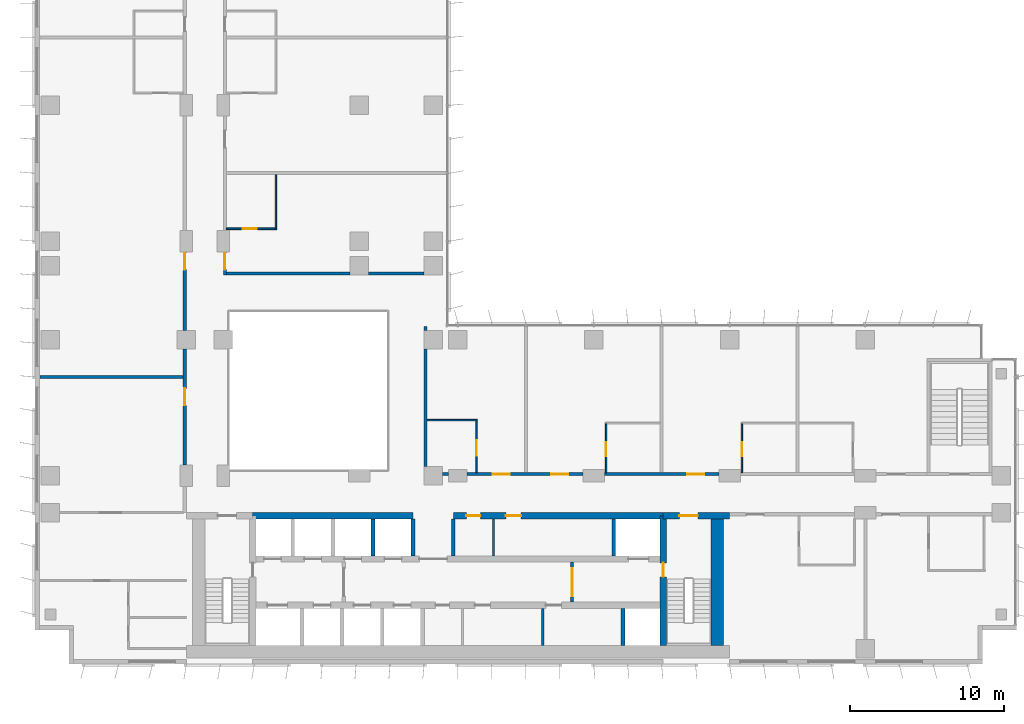
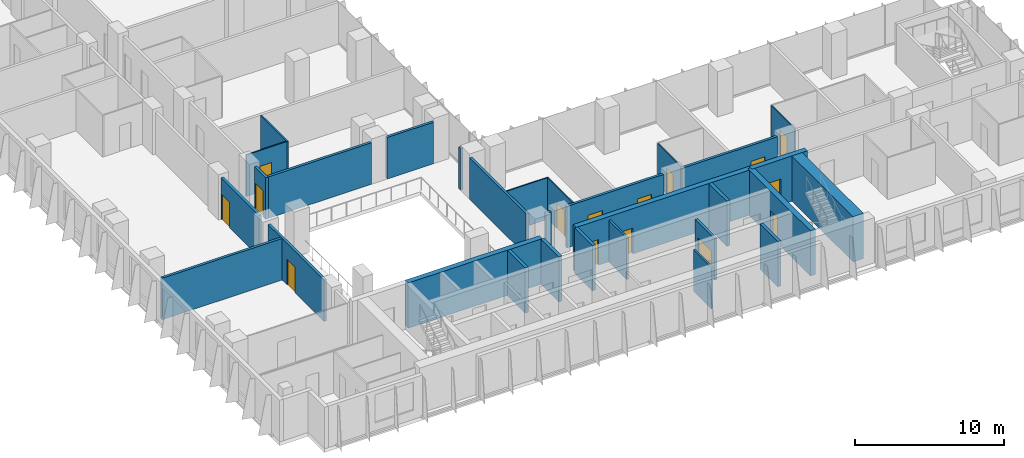
# One storey, part 13 of 22: 30 walls, 15 doors, 15 openings.
"""IFC4 building model written with IfcOpenShell, lengths in metres."""

from ifc_helpers import new_model, si_unit, direction, frame, frame_2d, origin, place, context, subcontext, project, spatial, rectangle, extrude, material, layer, layer_set, type_object, element, fill, save


model = new_model("IFC4")

# Units and contexts
model_context = context("Model", 3, precision=1e-05, world=origin(), true_north=direction((0.0, 1.0)))
body_context = subcontext(model_context, "Body", "Model", "MODEL_VIEW")
ifc_project = project(units=[si_unit("LENGTHUNIT", "METRE"), si_unit("AREAUNIT", "SQUARE_METRE"), si_unit("VOLUMEUNIT", "CUBIC_METRE"), si_unit("PLANEANGLEUNIT", "RADIAN"), si_unit("MASSUNIT", "GRAM", prefix="KILO")], contexts=[model_context])

# Site, building, storey
site_placement = place(None, origin())
site = spatial("IfcSite", under=ifc_project, at=site_placement, CompositionType="ELEMENT")
building_placement = place(site_placement, origin())
building = spatial("IfcBuilding", under=site, at=building_placement, Name="Kemantara Hotel Tower", CompositionType="ELEMENT")
storey_placement = place(building_placement, frame((0.0, 0.0, 125.89990234375)))
storey = spatial("IfcBuildingStorey", under=building, at=storey_placement, Name="L30", CompositionType="ELEMENT", Elevation=125.89990234375)

# Walls
ifc_material_1 = material(Name="Concrete fc 70 MPa", Category="concrete")
ifc_layer_1 = layer(ifc_material_1, 0.25)
ifc_layer_set_1 = layer_set([ifc_layer_1], Name="Concrete fc 70 MPa")
wall_type_1 = type_object("IfcWallType", Name="CORE WALL 250 FC70", PredefinedType="SHEAR", material=ifc_layer_set_1)
wall_1_placement = place(storey_placement, frame((38.10009765625, 1.199951171875, 0.0), z_axis=(0.0, 0.0, 1.0), x_axis=(0.0, 1.0, 0.0)))
element("IfcWall", 1, at=wall_1_placement, inside=storey, type_object=wall_type_1, Name="CORE WALL CW-DS38.1", PredefinedType="SHEAR", context=body_context, shape_type="SweptSolid", body=[
    extrude(rectangle(XDim=2.400146484375, YDim=0.25, at=frame_2d((1.2001953125, 0.0))), origin(), (0.0, 0.0, 1.0), 3.7001953125),
])
for number, where, z_axis, x_axis, name in (
    (2, (21.89990234375, 7.0, 0.0), (0.0, 0.0, 1.0), (0.0, 1.0, 0.0), "CORE WALL CW-DN21.9"),
    (3, (24.5, 7.0, 0.0), (0.0, 0.0, 1.0), (0.0, 1.0, 0.0), "CORE WALL CW-DN24.5"),
    (4, (27.10009765625, 7.0, 0.0), (0.0, 0.0, 1.0), (0.0, 1.0, 0.0), "CORE WALL CW-DN27.1"),
    (5, (37.5, 7.0, 0.0), (0.0, 0.0, 1.0), (0.0, 1.0, 0.0), "CORE WALL CW-DN37.5"),
):
    element("IfcWall", number, at=place(storey_placement, frame(where, z_axis=z_axis, x_axis=x_axis)), inside=storey, type_object=wall_type_1, Name=name, PredefinedType="SHEAR", context=body_context, shape_type="SweptSolid", body=[
        extrude(rectangle(XDim=2.39990234375, YDim=0.25, at=frame_2d((1.199951171875, 0.0))), origin(), (0.0, 0.0, 1.0), 3.7001953125),
    ])

# Wall, opening, door
ifc_layer_2 = layer(ifc_material_1, 0.39990234375)
ifc_layer_set_2 = layer_set([ifc_layer_2], Name="Concrete fc 70 MPa")
wall_type_2 = type_object("IfcWallType", Name="CORE WALL 400 FC70", PredefinedType="SHEAR", material=ifc_layer_set_2)
wall_2_placement = place(storey_placement, frame((40.699951171875, 9.60009765625, 0.0), z_axis=(0.0, 0.0, 1.0), x_axis=(1.0, 0.0, 0.0)))
wall_2 = element("IfcWall", 6, at=wall_2_placement, inside=storey, type_object=wall_type_2, Name="CORE WALL CW-N2", PredefinedType="SHEAR", context=body_context, shape_type="SweptSolid", body=[
    extrude(rectangle(XDim=4.300048828125, YDim=0.39990234375, at=frame_2d((2.14990234375, 0.0))), origin(), (0.0, 0.0, 1.0), 3.7001953125),
])
opening_1_placement = place(wall_2_placement, frame((1.050048828125, 0.0, 0.0)))
opening_1 = element("IfcOpeningElement", 7, at=opening_1_placement, cuts=wall_2, Name="Opening C20-ST2-C", PredefinedType="OPENING", context=body_context, shape_type="SweptSolid", body=[
    extrude(rectangle(XDim=1.199951171875, YDim=2.10009765625, at=frame_2d((0.60009765625, 1.050048828125))), frame((0.0, 0.2099609375, 0.0), z_axis=(0.0, -1.0, 0.0), x_axis=(1.0, 0.0, 0.0)), (0.0, 0.0, 1.0), 0.419921875),
])
ifc_material_2 = material(Name="Steel fire door", Category="steel")
door_type_1 = type_object("IfcDoorType", Name="Fire door FD90 1200 x 2100", OperationType="NOTDEFINED", PredefinedType="DOOR", material=ifc_material_2)
door_1_placement = place(opening_1_placement, frame((1.199951171875, 0.0, 0.0), z_axis=(0.0, 0.0, 1.0), x_axis=(-1.0, 0.0, 0.0)))
door_1 = element("IfcDoor", 8, at=door_1_placement, inside=storey, type_object=door_type_1, Name="Stair ST2 door to corridor", OperationType="SINGLE_SWING_RIGHT", OverallHeight=2.10009765625, OverallWidth=1.199951171875, PredefinedType="DOOR", context=body_context, shape_type="SweptSolid", body=[
    extrude(rectangle(XDim=1.199951171875, YDim=2.10009765625, at=frame_2d((0.60009765625, 1.050048828125))), frame((0.0, 0.02490234375, 0.0), z_axis=(0.0, -1.0, 0.0), x_axis=(1.0, 0.0, 0.0)), (0.0, 0.0, 1.0), 0.050048828125),
])
fill(opening_1, door_1)

# Wall
wall_3_placement = place(storey_placement, frame((14.10009765625, 9.60009765625, 0.0), z_axis=(0.0, 0.0, 1.0), x_axis=(1.0, 0.0, 0.0)))
element("IfcWall", 9, at=wall_3_placement, inside=storey, type_object=wall_type_2, Name="CORE WALL CW-NN1", PredefinedType="SHEAR", context=body_context, shape_type="SweptSolid", body=[
    extrude(rectangle(XDim=10.39990234375, YDim=0.39990234375, at=frame_2d((5.199951171875, 0.0))), origin(), (0.0, 0.0, 1.0), 3.7001953125),
])

# Wall, openings, doors
wall_4_placement = place(storey_placement, frame((27.10009765625, 9.60009765625, 0.0), z_axis=(0.0, 0.0, 1.0), x_axis=(1.0, 0.0, 0.0)))
wall_4 = element("IfcWall", 10, at=wall_4_placement, inside=storey, type_object=wall_type_2, Name="CORE WALL CW-NN2", PredefinedType="SHEAR", context=body_context, shape_type="SweptSolid", body=[
    extrude(rectangle(XDim=13.599853515625, YDim=0.39990234375, at=frame_2d((6.7998046875, 0.0))), origin(), (0.0, 0.0, 1.0), 3.7001953125),
])
opening_2_placement = place(wall_4_placement, frame((0.85009765625, 0.0, 0.0)))
opening_2 = element("IfcOpeningElement", 11, at=opening_2_placement, cuts=wall_4, Name="Opening C20-R-NE1", PredefinedType="OPENING", context=body_context, shape_type="SweptSolid", body=[
    extrude(rectangle(XDim=0.89990234375, YDim=2.10009765625, at=frame_2d((0.449951171875, 1.050048828125))), frame((0.0, 0.2099609375, 0.0), z_axis=(0.0, -1.0, 0.0), x_axis=(1.0, 0.0, 0.0)), (0.0, 0.0, 1.0), 0.419921875),
])
opening_3_placement = place(wall_4_placement, frame((3.39990234375, 0.0, 0.0)))
opening_3 = element("IfcOpeningElement", 12, at=opening_3_placement, cuts=wall_4, Name="Opening C20-R-NE2", PredefinedType="OPENING", context=body_context, shape_type="SweptSolid", body=[
    extrude(rectangle(XDim=1.0, YDim=2.10009765625, at=frame_2d((0.5, 1.050048828125))), frame((0.0, 0.2099609375, 0.0), z_axis=(0.0, -1.0, 0.0), x_axis=(1.0, 0.0, 0.0)), (0.0, 0.0, 1.0), 0.419921875),
])
door_type_2 = type_object("IfcDoorType", Name="Fire door FD30S 1000 x 2100", OperationType="NOTDEFINED", PredefinedType="DOOR", material=ifc_material_2)
door_2_placement = place(opening_3_placement, frame((1.0, 0.0, 0.0), z_axis=(0.0, 0.0, 1.0), x_axis=(-1.0, 0.0, 0.0)))
door_2 = element("IfcDoor", 13, at=door_2_placement, inside=storey, type_object=door_type_2, Name="Linen Store door", OperationType="SINGLE_SWING_RIGHT", OverallHeight=2.10009765625, OverallWidth=1.0, PredefinedType="DOOR", context=body_context, shape_type="SweptSolid", body=[
    extrude(rectangle(XDim=1.0, YDim=2.10009765625, at=frame_2d((0.5, 1.050048828125))), frame((0.0, 0.02490234375, 0.0), z_axis=(0.0, -1.0, 0.0), x_axis=(1.0, 0.0, 0.0)), (0.0, 0.0, 1.0), 0.050048828125),
])
fill(opening_3, door_2)
door_type_3 = type_object("IfcDoorType", Name="Fire door FD30S 900 x 2100", OperationType="NOTDEFINED", PredefinedType="DOOR", material=ifc_material_2)
door_3_placement = place(opening_2_placement, frame((0.89990234375, 0.0, 0.0), z_axis=(0.0, 0.0, 1.0), x_axis=(-1.0, 0.0, 0.0)))
door_3 = element("IfcDoor", 14, at=door_3_placement, inside=storey, type_object=door_type_3, Name="Staff Wc door", OperationType="SINGLE_SWING_RIGHT", OverallHeight=2.10009765625, OverallWidth=0.89990234375, PredefinedType="DOOR", context=body_context, shape_type="SweptSolid", body=[
    extrude(rectangle(XDim=0.89990234375, YDim=2.10009765625, at=frame_2d((0.449951171875, 1.050048828125))), frame((0.0, 0.02490234375, 0.0), z_axis=(0.0, -1.0, 0.0), x_axis=(1.0, 0.0, 0.0)), (0.0, 0.0, 1.0), 0.050048828125),
])
fill(opening_2, door_3)

# Wall, opening, door
wall_5_placement = place(storey_placement, frame((40.699951171875, 1.199951171875, 0.0), z_axis=(0.0, 0.0, 1.0), x_axis=(0.0, 1.0, 0.0)))
wall_5 = element("IfcWall", 15, at=wall_5_placement, inside=storey, type_object=wall_type_2, Name="CORE WALL CW-ST2W", PredefinedType="SHEAR", context=body_context, shape_type="SweptSolid", body=[
    extrude(rectangle(XDim=8.400146484375, YDim=0.39990234375, at=frame_2d((4.2001953125, 0.0))), origin(), (0.0, 0.0, 1.0), 3.7001953125),
])
opening_4_placement = place(wall_5_placement, frame((4.449951171875, 0.0, 0.0)))
opening_4 = element("IfcOpeningElement", 16, at=opening_4_placement, cuts=wall_5, Name="Opening C20-ST2-F", PredefinedType="OPENING", context=body_context, shape_type="SweptSolid", body=[
    extrude(rectangle(XDim=0.89990234375, YDim=2.10009765625, at=frame_2d((0.449951171875, 1.050048828125))), frame((0.0, 0.2099609375, 0.0), z_axis=(0.0, -1.0, 0.0), x_axis=(1.0, 0.0, 0.0)), (0.0, 0.0, 1.0), 0.419921875),
])
door_type_4 = type_object("IfcDoorType", Name="Fire door FD90 900 x 2100", OperationType="NOTDEFINED", PredefinedType="DOOR", material=ifc_material_2)
door_4_placement = place(opening_4_placement, frame((0.89990234375, 0.0, 0.0), z_axis=(0.0, 0.0, 1.0), x_axis=(-1.0, 0.0, 0.0)))
door_4 = element("IfcDoor", 17, at=door_4_placement, inside=storey, type_object=door_type_4, Name="Stair ST2 door to firefighting lobby", OperationType="SINGLE_SWING_LEFT", OverallHeight=2.10009765625, OverallWidth=0.89990234375, PredefinedType="DOOR", context=body_context, shape_type="SweptSolid", body=[
    extrude(rectangle(XDim=0.89990234375, YDim=2.10009765625, at=frame_2d((0.449951171875, 1.050048828125))), frame((0.0, 0.02490234375, 0.0), z_axis=(0.0, -1.0, 0.0), x_axis=(1.0, 0.0, 0.0)), (0.0, 0.0, 1.0), 0.050048828125),
])
fill(opening_4, door_4)

# Walls
ifc_layer_3 = layer(ifc_material_1, 0.800048828125)
ifc_layer_set_3 = layer_set([ifc_layer_3], Name="Concrete fc 70 MPa")
wall_type_3 = type_object("IfcWallType", Name="CORE WALL 800 FC70", PredefinedType="SHEAR", material=ifc_layer_set_3)
wall_6_placement = place(storey_placement, frame((44.199951171875, 1.199951171875, 0.0), z_axis=(0.0, 0.0, 1.0), x_axis=(0.0, 1.0, 0.0)))
element("IfcWall", 18, at=wall_6_placement, inside=storey, type_object=wall_type_3, Name="CORE WALL CW-E", PredefinedType="SHEAR", context=body_context, shape_type="SweptSolid", body=[
    extrude(rectangle(XDim=8.60009765625, YDim=0.800048828125, at=frame_2d((4.300048828125, 0.0))), origin(), (0.0, 0.0, 1.0), 3.7001953125),
])
ifc_material_3 = material(Name="Gypsum board partition, steel studs and mineral wool, 200 mm", Category="steel")
ifc_layer_4 = layer(ifc_material_3, 0.199951171875)
ifc_layer_set_4 = layer_set([ifc_layer_4], Name="Gypsum board partition, steel studs and mineral wool, 200 mm")
wall_type_4 = type_object("IfcWallType", Name="CORRIDOR WALL 200", PredefinedType="PARTITIONING", material=ifc_layer_set_4)
wall_7_placement = place(storey_placement, frame((26.400146484375, 12.300048828125, 0.0), z_axis=(0.0, 0.0, 1.0), x_axis=(1.0, 0.0, 0.0)))
element("IfcWall", 19, at=wall_7_placement, inside=storey, type_object=wall_type_4, Name="CORRIDOR WALL 200 004", PredefinedType="PARTITIONING", context=body_context, shape_type="SweptSolid", body=[
    extrude(rectangle(XDim=0.399658203125, YDim=0.199951171875, at=frame_2d((0.19970703125, 0.0))), origin(), (0.0, 0.0, 1.0), 3.400146484375),
])

# Wall, openings, doors
wall_8_placement = place(storey_placement, frame((28.0, 12.300048828125, 0.0), z_axis=(0.0, 0.0, 1.0), x_axis=(1.0, 0.0, 0.0)))
wall_8 = element("IfcWall", 20, at=wall_8_placement, inside=storey, type_object=wall_type_4, Name="CORRIDOR WALL 200 005", PredefinedType="PARTITIONING", context=body_context, shape_type="SweptSolid", body=[
    extrude(rectangle(XDim=7.5, YDim=0.199951171875, at=frame_2d((3.75, 0.0))), origin(), (0.0, 0.0, 1.0), 3.400146484375),
])
opening_5_placement = place(wall_8_placement, frame((1.64990234375, 0.0, 0.0)))
opening_5 = element("IfcOpeningElement", 21, at=opening_5_placement, cuts=wall_8, Name="Opening F13-005", PredefinedType="OPENING", context=body_context, shape_type="SweptSolid", body=[
    extrude(rectangle(XDim=1.10009765625, YDim=2.10009765625, at=frame_2d((0.550048828125, 1.050048828125))), frame((0.0, 0.10986328125, 0.0), z_axis=(0.0, -1.0, 0.0), x_axis=(1.0, 0.0, 0.0)), (0.0, 0.0, 1.0), 0.219970703125),
])
opening_6_placement = place(wall_8_placement, frame((5.449951171875, 0.0, 0.0)))
opening_6 = element("IfcOpeningElement", 22, at=opening_6_placement, cuts=wall_8, Name="Opening F13-007", PredefinedType="OPENING", context=body_context, shape_type="SweptSolid", body=[
    extrude(rectangle(XDim=1.10009765625, YDim=2.10009765625, at=frame_2d((0.550048828125, 1.050048828125))), frame((0.0, 0.10986328125, 0.0), z_axis=(0.0, -1.0, 0.0), x_axis=(1.0, 0.0, 0.0)), (0.0, 0.0, 1.0), 0.219970703125),
])
ifc_material_4 = material(Name="Hardwood veneer door leaf with steel frame", Category="steel")
door_type_5 = type_object("IfcDoorType", Name="GUEST ROOM DOOR 1100 X 2100 FD30S", OperationType="NOTDEFINED", PredefinedType="DOOR", material=ifc_material_4)
door_5_placement = place(opening_5_placement, origin())
door_5 = element("IfcDoor", 23, at=door_5_placement, inside=storey, type_object=door_type_5, Name="GUEST ROOM DOOR F13-005", OperationType="SINGLE_SWING_RIGHT", OverallHeight=2.10009765625, OverallWidth=1.10009765625, PredefinedType="DOOR", context=body_context, shape_type="SweptSolid", body=[
    extrude(rectangle(XDim=1.10009765625, YDim=2.10009765625, at=frame_2d((0.550048828125, 1.050048828125))), frame((0.0, 0.02490234375, 0.0), z_axis=(0.0, -1.0, 0.0), x_axis=(1.0, 0.0, 0.0)), (0.0, 0.0, 1.0), 0.050048828125),
])
fill(opening_5, door_5)
door_type_6 = type_object("IfcDoorType", Name="SUITE ENTRANCE DOOR 1100 X 2100 FD30S", OperationType="NOTDEFINED", PredefinedType="DOOR", material=ifc_material_4)
door_6_placement = place(opening_6_placement, origin())
door_6 = element("IfcDoor", 24, at=door_6_placement, inside=storey, type_object=door_type_6, Name="SUITE ENTRANCE DOOR F13-007", OperationType="SINGLE_SWING_LEFT", OverallHeight=2.10009765625, OverallWidth=1.10009765625, PredefinedType="DOOR", context=body_context, shape_type="SweptSolid", body=[
    extrude(rectangle(XDim=1.10009765625, YDim=2.10009765625, at=frame_2d((0.550048828125, 1.050048828125))), frame((0.0, 0.02490234375, 0.0), z_axis=(0.0, -1.0, 0.0), x_axis=(1.0, 0.0, 0.0)), (0.0, 0.0, 1.0), 0.050048828125),
])
fill(opening_6, door_6)

# Wall, opening, door
wall_9_placement = place(storey_placement, frame((36.900146484375, 12.300048828125, 0.0), z_axis=(0.0, 0.0, 1.0), x_axis=(1.0, 0.0, 0.0)))
wall_9 = element("IfcWall", 25, at=wall_9_placement, inside=storey, type_object=wall_type_4, Name="CORRIDOR WALL 200 006", PredefinedType="PARTITIONING", context=body_context, shape_type="SweptSolid", body=[
    extrude(rectangle(XDim=7.399658203125, YDim=0.199951171875, at=frame_2d((3.69970703125, 0.0))), origin(), (0.0, 0.0, 1.0), 3.400146484375),
])
opening_7_placement = place(wall_9_placement, frame((5.349853515625, 0.0, 0.0)))
opening_7 = element("IfcOpeningElement", 26, at=opening_7_placement, cuts=wall_9, Name="Opening F13-009", PredefinedType="OPENING", context=body_context, shape_type="SweptSolid", body=[
    extrude(rectangle(XDim=1.10009765625, YDim=2.10009765625, at=frame_2d((0.550048828125, 1.050048828125))), frame((0.0, 0.10986328125, 0.0), z_axis=(0.0, -1.0, 0.0), x_axis=(1.0, 0.0, 0.0)), (0.0, 0.0, 1.0), 0.219970703125),
])
door_7_placement = place(opening_7_placement, origin())
door_7 = element("IfcDoor", 27, at=door_7_placement, inside=storey, type_object=door_type_6, Name="SUITE ENTRANCE DOOR F13-009", OperationType="SINGLE_SWING_LEFT", OverallHeight=2.10009765625, OverallWidth=1.10009765625, PredefinedType="DOOR", context=body_context, shape_type="SweptSolid", body=[
    extrude(rectangle(XDim=1.10009765625, YDim=2.10009765625, at=frame_2d((0.550048828125, 1.050048828125))), frame((0.0, 0.02490234375, 0.0), z_axis=(0.0, -1.0, 0.0), x_axis=(1.0, 0.0, 0.0)), (0.0, 0.0, 1.0), 0.050048828125),
])
fill(opening_7, door_7)

wall_10_placement = place(storey_placement, frame((9.699951171875, 12.900146484375, 0.0), z_axis=(0.0, 0.0, 1.0), x_axis=(0.0, 1.0, 0.0)))
wall_10 = element("IfcWall", 28, at=wall_10_placement, inside=storey, type_object=wall_type_4, Name="CORRIDOR WALL 200 015", PredefinedType="PARTITIONING", context=body_context, shape_type="SweptSolid", body=[
    extrude(rectangle(XDim=7.499755859375, YDim=0.199951171875, at=frame_2d((3.75, 0.0))), origin(), (0.0, 0.0, 1.0), 3.400146484375),
])
opening_8_placement = place(wall_10_placement, frame((3.849853515625, 0.0, 0.0)))
opening_8 = element("IfcOpeningElement", 29, at=opening_8_placement, cuts=wall_10, Name="Opening F13-013", PredefinedType="OPENING", context=body_context, shape_type="SweptSolid", body=[
    extrude(rectangle(XDim=1.10009765625, YDim=2.10009765625, at=frame_2d((0.550048828125, 1.050048828125))), frame((0.0, 0.10986328125, 0.0), z_axis=(0.0, -1.0, 0.0), x_axis=(1.0, 0.0, 0.0)), (0.0, 0.0, 1.0), 0.219970703125),
])
door_8_placement = place(opening_8_placement, origin())
door_8 = element("IfcDoor", 30, at=door_8_placement, inside=storey, type_object=door_type_6, Name="SUITE ENTRANCE DOOR F13-013", OperationType="SINGLE_SWING_RIGHT", OverallHeight=2.10009765625, OverallWidth=1.10009765625, PredefinedType="DOOR", context=body_context, shape_type="SweptSolid", body=[
    extrude(rectangle(XDim=1.10009765625, YDim=2.10009765625, at=frame_2d((0.550048828125, 1.050048828125))), frame((0.0, 0.02490234375, 0.0), z_axis=(0.0, -1.0, 0.0), x_axis=(1.0, 0.0, 0.0)), (0.0, 0.0, 1.0), 0.050048828125),
])
fill(opening_8, door_8)

wall_11_placement = place(storey_placement, frame((9.699951171875, 21.60009765625, 0.0), z_axis=(0.0, 0.0, 1.0), x_axis=(0.0, 1.0, 0.0)))
wall_11 = element("IfcWall", 31, at=wall_11_placement, inside=storey, type_object=wall_type_4, Name="CORRIDOR WALL 200 016", PredefinedType="PARTITIONING", context=body_context, shape_type="SweptSolid", body=[
    extrude(rectangle(XDim=5.099853515625, YDim=0.199951171875, at=frame_2d((2.5498046875, 0.0))), origin(), (0.0, 0.0, 1.0), 3.400146484375),
])
opening_9_placement = place(wall_11_placement, frame((3.949951171875, 0.0, 0.0)))
opening_9 = element("IfcOpeningElement", 32, at=opening_9_placement, cuts=wall_11, Name="Opening F13-018", PredefinedType="OPENING", context=body_context, shape_type="SweptSolid", body=[
    extrude(rectangle(XDim=1.10009765625, YDim=2.10009765625, at=frame_2d((0.550048828125, 1.050048828125))), frame((0.0, 0.10986328125, 0.0), z_axis=(0.0, -1.0, 0.0), x_axis=(1.0, 0.0, 0.0)), (0.0, 0.0, 1.0), 0.219970703125),
])
door_9_placement = place(opening_9_placement, origin())
door_9 = element("IfcDoor", 33, at=door_9_placement, inside=storey, type_object=door_type_6, Name="SUITE ENTRANCE DOOR F13-018", OperationType="SINGLE_SWING_LEFT", OverallHeight=2.10009765625, OverallWidth=1.10009765625, PredefinedType="DOOR", context=body_context, shape_type="SweptSolid", body=[
    extrude(rectangle(XDim=1.10009765625, YDim=2.10009765625, at=frame_2d((0.550048828125, 1.050048828125))), frame((0.0, 0.02490234375, 0.0), z_axis=(0.0, -1.0, 0.0), x_axis=(1.0, 0.0, 0.0)), (0.0, 0.0, 1.0), 0.050048828125),
])
fill(opening_9, door_9)

wall_12_placement = place(storey_placement, frame((12.300048828125, 26.699951171875, 0.0), z_axis=(0.0, 0.0, 1.0), x_axis=(0.0, -1.0, 0.0)))
wall_12 = element("IfcWall", 34, at=wall_12_placement, inside=storey, type_object=wall_type_4, Name="CORRIDOR WALL 200 029", PredefinedType="PARTITIONING", context=body_context, shape_type="SweptSolid", body=[
    extrude(rectangle(XDim=1.5, YDim=0.199951171875, at=frame_2d((0.75, 0.0))), origin(), (0.0, 0.0, 1.0), 3.400146484375),
])
opening_10_placement = place(wall_12_placement, frame((0.0498046875, 0.0, 0.0)))
opening_10 = element("IfcOpeningElement", 35, at=opening_10_placement, cuts=wall_12, Name="Opening F13-030", PredefinedType="OPENING", context=body_context, shape_type="SweptSolid", body=[
    extrude(rectangle(XDim=1.10009765625, YDim=2.10009765625, at=frame_2d((0.550048828125, 1.050048828125))), frame((0.0, 0.10986328125, 0.0), z_axis=(0.0, -1.0, 0.0), x_axis=(1.0, 0.0, 0.0)), (0.0, 0.0, 1.0), 0.219970703125),
])
door_10_placement = place(opening_10_placement, origin())
door_10 = element("IfcDoor", 36, at=door_10_placement, inside=storey, type_object=door_type_6, Name="SUITE ENTRANCE DOOR F13-030", OperationType="SINGLE_SWING_RIGHT", OverallHeight=2.10009765625, OverallWidth=1.10009765625, PredefinedType="DOOR", context=body_context, shape_type="SweptSolid", body=[
    extrude(rectangle(XDim=1.10009765625, YDim=2.10009765625, at=frame_2d((0.550048828125, 1.050048828125))), frame((0.0, 0.02490234375, 0.0), z_axis=(0.0, -1.0, 0.0), x_axis=(1.0, 0.0, 0.0)), (0.0, 0.0, 1.0), 0.050048828125),
])
fill(opening_10, door_10)

# Walls
ifc_layer_5 = layer(ifc_material_3, 0.199951171875)
ifc_layer_set_5 = layer_set([ifc_layer_5], Name="Gypsum board partition, steel studs and mineral wool, 200 mm")
wall_type_5 = type_object("IfcWallType", Name="GUEST ROOM PARTY WALL 200", PredefinedType="PARTITIONING", material=ifc_layer_set_5)
wall_13_placement = place(storey_placement, frame((25.300048828125, 12.800048828125, 0.0), z_axis=(0.0, 0.0, 1.0), x_axis=(0.0, 1.0, 0.0)))
element("IfcWall", 37, at=wall_13_placement, inside=storey, type_object=wall_type_5, Name="GUEST ROOM PARTY WALL 200 009", PredefinedType="PARTITIONING", context=body_context, shape_type="SweptSolid", body=[
    extrude(rectangle(XDim=7.599853515625, YDim=0.199951171875, at=frame_2d((3.7998046875, 0.0))), origin(), (0.0, 0.0, 1.0), 3.400146484375),
])
wall_14_placement = place(storey_placement, frame((25.300048828125, 21.60009765625, 0.0), z_axis=(0.0, 0.0, 1.0), x_axis=(0.0, 1.0, 0.0)))
element("IfcWall", 38, at=wall_14_placement, inside=storey, type_object=wall_type_5, Name="GUEST ROOM PARTY WALL 200 010", PredefinedType="PARTITIONING", context=body_context, shape_type="SweptSolid", body=[
    extrude(rectangle(XDim=0.27001953125, YDim=0.199951171875, at=frame_2d((0.135009765625, 0.0))), origin(), (0.0, 0.0, 1.0), 3.400146484375),
])
wall_15_placement = place(storey_placement, frame((0.31005859375, 18.60009765625, 0.0), z_axis=(0.0, 0.0, 1.0), x_axis=(1.0, 0.0, 0.0)))
element("IfcWall", 39, at=wall_15_placement, inside=storey, type_object=wall_type_5, Name="GUEST ROOM PARTY WALL 200 023", PredefinedType="PARTITIONING", context=body_context, shape_type="SweptSolid", body=[
    extrude(rectangle(XDim=9.2900390625, YDim=0.199951171875, at=frame_2d((4.64501953125, 0.0))), origin(), (0.0, 0.0, 1.0), 3.400146484375),
])
wall_16_placement = place(storey_placement, frame((12.39990234375, 25.300048828125, 0.0), z_axis=(0.0, 0.0, 1.0), x_axis=(1.0, 0.0, 0.0)))
element("IfcWall", 40, at=wall_16_placement, inside=storey, type_object=wall_type_5, Name="GUEST ROOM PARTY WALL 200 036", PredefinedType="PARTITIONING", context=body_context, shape_type="SweptSolid", body=[
    extrude(rectangle(XDim=8.0, YDim=0.199951171875, at=frame_2d((4.0, 0.0))), origin(), (0.0, 0.0, 1.0), 3.400146484375),
])
wall_17_placement = place(storey_placement, frame((21.60009765625, 25.300048828125, 0.0), z_axis=(0.0, 0.0, 1.0), x_axis=(1.0, 0.0, 0.0)))
element("IfcWall", 41, at=wall_17_placement, inside=storey, type_object=wall_type_5, Name="GUEST ROOM PARTY WALL 200 037", PredefinedType="PARTITIONING", context=body_context, shape_type="SweptSolid", body=[
    extrude(rectangle(XDim=3.599853515625, YDim=0.199951171875, at=frame_2d((1.7998046875, 0.0))), origin(), (0.0, 0.0, 1.0), 3.400146484375),
])
ifc_material_5 = material(Name="Gypsum board partition")
ifc_layer_6 = layer(ifc_material_5, 0.14990234375)
ifc_layer_set_6 = layer_set([ifc_layer_6], Name="Gypsum board partition")
wall_type_6 = type_object("IfcWallType", Name="Gypsum board partition 150 mm", PredefinedType="PARTITIONING", material=ifc_layer_set_6)
wall_18_placement = place(storey_placement, frame((29.699951171875, 7.0, 0.0), z_axis=(0.0, 0.0, 1.0), x_axis=(0.0, 1.0, 0.0)))
element("IfcWall", 42, at=wall_18_placement, inside=storey, type_object=wall_type_6, Name="Core room partition", PredefinedType="PARTITIONING", context=body_context, shape_type="SweptSolid", body=[
    extrude(rectangle(XDim=2.39990234375, YDim=0.14990234375, at=frame_2d((1.199951171875, 0.0))), origin(), (0.0, 0.0, 1.0), 3.400146484375),
])
wall_19_placement = place(storey_placement, frame((32.89990234375, 1.199951171875, 0.0), z_axis=(0.0, 0.0, 1.0), x_axis=(0.0, 1.0, 0.0)))
element("IfcWall", 43, at=wall_19_placement, inside=storey, type_object=wall_type_6, Name="Core room partition", PredefinedType="PARTITIONING", context=body_context, shape_type="SweptSolid", body=[
    extrude(rectangle(XDim=2.400146484375, YDim=0.14990234375, at=frame_2d((1.2001953125, 0.0))), origin(), (0.0, 0.0, 1.0), 3.400146484375),
])

# Wall, opening, door
ifc_material_6 = material(Name="Gypsum board shaft wall")
ifc_layer_7 = layer(ifc_material_6, 0.199951171875)
ifc_layer_set_7 = layer_set([ifc_layer_7], Name="Gypsum board shaft wall")
wall_type_7 = type_object("IfcWallType", Name="Gypsum board shaft wall 200 mm", PredefinedType="PARTITIONING", material=ifc_layer_set_7)
wall_20_placement = place(storey_placement, frame((34.800048828125, 4.0, 0.0), z_axis=(0.0, 0.0, 1.0), x_axis=(0.0, 1.0, 0.0)))
wall_20 = element("IfcWall", 44, at=wall_20_placement, inside=storey, type_object=wall_type_7, Name="Firefighting lobby partition east", PredefinedType="PARTITIONING", context=body_context, shape_type="SweptSolid", body=[
    extrude(rectangle(XDim=2.60009765625, YDim=0.199951171875, at=frame_2d((1.300048828125, 0.0))), origin(), (0.0, 0.0, 1.0), 3.400146484375),
])
opening_11_placement = place(wall_20_placement, frame((0.39990234375, 0.0, 0.0)))
opening_11 = element("IfcOpeningElement", 45, at=opening_11_placement, cuts=wall_20, Name="Opening C20-FFE", PredefinedType="OPENING", context=body_context, shape_type="SweptSolid", body=[
    extrude(rectangle(XDim=1.800048828125, YDim=2.10009765625, at=frame_2d((0.89990234375, 1.050048828125))), frame((0.0, 0.10986328125, 0.0), z_axis=(0.0, -1.0, 0.0), x_axis=(1.0, 0.0, 0.0)), (0.0, 0.0, 1.0), 0.219970703125),
])
door_type_7 = type_object("IfcDoorType", Name="Fire door pair FD60 1800 x 2100", OperationType="DOUBLE_DOOR_SINGLE_SWING", PredefinedType="DOOR", material=ifc_material_2)
door_11_placement = place(opening_11_placement, frame((1.800048828125, 0.0, 0.0), z_axis=(0.0, 0.0, 1.0), x_axis=(-1.0, 0.0, 0.0)))
door_11 = element("IfcDoor", 46, at=door_11_placement, inside=storey, type_object=door_type_7, Name="Firefighting lobby door east", OperationType="DOUBLE_DOOR_SINGLE_SWING", OverallHeight=2.10009765625, OverallWidth=1.800048828125, PredefinedType="DOOR", context=body_context, shape_type="SweptSolid", body=[
    extrude(rectangle(XDim=1.800048828125, YDim=2.10009765625, at=frame_2d((0.89990234375, 1.050048828125))), frame((0.0, 0.02490234375, 0.0), z_axis=(0.0, -1.0, 0.0), x_axis=(1.0, 0.0, 0.0)), (0.0, 0.0, 1.0), 0.050048828125),
])
fill(opening_11, door_11)

# Wall
ifc_material_7 = material(Name="Gypsum board partition on steel studs, 100 mm", Category="steel")
ifc_layer_8 = layer(ifc_material_7, 0.10009765625)
ifc_layer_set_8 = layer_set([ifc_layer_8], Name="Gypsum board partition on steel studs, 100 mm")
wall_type_8 = type_object("IfcWallType", Name="ROOM PARTITION 100", PredefinedType="PARTITIONING", material=ifc_layer_set_8)
wall_21_placement = place(storey_placement, frame((25.39990234375, 15.800048828125, 0.0), z_axis=(0.0, 0.0, 1.0), x_axis=(1.0, 0.0, 0.0)))
element("IfcWall", 47, at=wall_21_placement, inside=storey, type_object=wall_type_8, Name="ROOM PARTITION 100 047", PredefinedType="PARTITIONING", context=body_context, shape_type="SweptSolid", body=[
    extrude(rectangle(XDim=3.25, YDim=0.10009765625, at=frame_2d((1.625, 0.0))), origin(), (0.0, 0.0, 1.0), 3.400146484375),
])

# Wall, opening, door
wall_22_placement = place(storey_placement, frame((28.60009765625, 12.39990234375, 0.0), z_axis=(0.0, 0.0, 1.0), x_axis=(0.0, 1.0, 0.0)))
wall_22 = element("IfcWall", 48, at=wall_22_placement, inside=storey, type_object=wall_type_8, Name="ROOM PARTITION 100 048", PredefinedType="PARTITIONING", context=body_context, shape_type="SweptSolid", body=[
    extrude(rectangle(XDim=3.35009765625, YDim=0.10009765625, at=frame_2d((1.675048828125, 0.0))), origin(), (0.0, 0.0, 1.0), 3.400146484375),
])
opening_12_placement = place(wall_22_placement, frame((1.10009765625, 0.0, 0.0)))
opening_12 = element("IfcOpeningElement", 49, at=opening_12_placement, cuts=wall_22, Name="Opening F13-006", PredefinedType="OPENING", context=body_context, shape_type="SweptSolid", body=[
    extrude(rectangle(XDim=1.0, YDim=2.10009765625, at=frame_2d((0.5, 1.050048828125))), frame((0.0, 0.06005859375, 0.0), z_axis=(0.0, -1.0, 0.0), x_axis=(1.0, 0.0, 0.0)), (0.0, 0.0, 1.0), 0.1201171875),
])
door_type_8 = type_object("IfcDoorType", Name="BATHROOM DOOR 1000 X 2100", OperationType="NOTDEFINED", PredefinedType="DOOR", material=ifc_material_4)
door_12_placement = place(opening_12_placement, origin())
door_12 = element("IfcDoor", 50, at=door_12_placement, inside=storey, type_object=door_type_8, Name="BATHROOM DOOR F13-006", OperationType="SINGLE_SWING_LEFT", OverallHeight=2.10009765625, OverallWidth=1.0, PredefinedType="DOOR", context=body_context, shape_type="SweptSolid", body=[
    extrude(rectangle(XDim=1.0, YDim=2.10009765625, at=frame_2d((0.5, 1.050048828125))), frame((0.0, 0.02490234375, 0.0), z_axis=(0.0, -1.0, 0.0), x_axis=(1.0, 0.0, 0.0)), (0.0, 0.0, 1.0), 0.050048828125),
])
fill(opening_12, door_12)

wall_23_placement = place(storey_placement, frame((37.0, 15.550048828125, 0.0), z_axis=(0.0, 0.0, 1.0), x_axis=(0.0, -1.0, 0.0)))
wall_23 = element("IfcWall", 51, at=wall_23_placement, inside=storey, type_object=wall_type_8, Name="ROOM PARTITION 100 052", PredefinedType="PARTITIONING", context=body_context, shape_type="SweptSolid", body=[
    extrude(rectangle(XDim=3.150146484375, YDim=0.10009765625, at=frame_2d((1.5751953125, 0.0))), origin(), (0.0, 0.0, 1.0), 3.400146484375),
])
opening_13_placement = place(wall_23_placement, frame((1.199951171875, 0.0, 0.0)))
opening_13 = element("IfcOpeningElement", 52, at=opening_13_placement, cuts=wall_23, Name="Opening F13-008", PredefinedType="OPENING", context=body_context, shape_type="SweptSolid", body=[
    extrude(rectangle(XDim=0.89990234375, YDim=2.10009765625, at=frame_2d((0.449951171875, 1.050048828125))), frame((0.0, 0.06005859375, 0.0), z_axis=(0.0, -1.0, 0.0), x_axis=(1.0, 0.0, 0.0)), (0.0, 0.0, 1.0), 0.1201171875),
])
door_type_9 = type_object("IfcDoorType", Name="BATHROOM DOOR 900 X 2100", OperationType="NOTDEFINED", PredefinedType="DOOR", material=ifc_material_4)
door_13_placement = place(opening_13_placement, origin())
door_13 = element("IfcDoor", 53, at=door_13_placement, inside=storey, type_object=door_type_9, Name="BATHROOM DOOR F13-008", OperationType="SINGLE_SWING_RIGHT", OverallHeight=2.10009765625, OverallWidth=0.89990234375, PredefinedType="DOOR", context=body_context, shape_type="SweptSolid", body=[
    extrude(rectangle(XDim=0.89990234375, YDim=2.10009765625, at=frame_2d((0.449951171875, 1.050048828125))), frame((0.0, 0.02490234375, 0.0), z_axis=(0.0, -1.0, 0.0), x_axis=(1.0, 0.0, 0.0)), (0.0, 0.0, 1.0), 0.050048828125),
])
fill(opening_13, door_13)

wall_24_placement = place(storey_placement, frame((45.800048828125, 15.550048828125, 0.0), z_axis=(0.0, 0.0, 1.0), x_axis=(0.0, -1.0, 0.0)))
wall_24 = element("IfcWall", 54, at=wall_24_placement, inside=storey, type_object=wall_type_8, Name="ROOM PARTITION 100 053", PredefinedType="PARTITIONING", context=body_context, shape_type="SweptSolid", body=[
    extrude(rectangle(XDim=3.150146484375, YDim=0.10009765625, at=frame_2d((1.5751953125, 0.0))), origin(), (0.0, 0.0, 1.0), 3.400146484375),
])
opening_14_placement = place(wall_24_placement, frame((1.199951171875, 0.0, 0.0)))
opening_14 = element("IfcOpeningElement", 55, at=opening_14_placement, cuts=wall_24, Name="Opening F13-010", PredefinedType="OPENING", context=body_context, shape_type="SweptSolid", body=[
    extrude(rectangle(XDim=0.89990234375, YDim=2.10009765625, at=frame_2d((0.449951171875, 1.050048828125))), frame((0.0, 0.06005859375, 0.0), z_axis=(0.0, -1.0, 0.0), x_axis=(1.0, 0.0, 0.0)), (0.0, 0.0, 1.0), 0.1201171875),
])
door_14_placement = place(opening_14_placement, origin())
door_14 = element("IfcDoor", 56, at=door_14_placement, inside=storey, type_object=door_type_9, Name="BATHROOM DOOR F13-010", OperationType="SINGLE_SWING_RIGHT", OverallHeight=2.10009765625, OverallWidth=0.89990234375, PredefinedType="DOOR", context=body_context, shape_type="SweptSolid", body=[
    extrude(rectangle(XDim=0.89990234375, YDim=2.10009765625, at=frame_2d((0.449951171875, 1.050048828125))), frame((0.0, 0.02490234375, 0.0), z_axis=(0.0, -1.0, 0.0), x_axis=(1.0, 0.0, 0.0)), (0.0, 0.0, 1.0), 0.050048828125),
])
fill(opening_14, door_14)

# Wall
wall_25_placement = place(storey_placement, frame((15.60009765625, 28.14990234375, 0.0), z_axis=(0.0, 0.0, 1.0), x_axis=(0.0, 1.0, 0.0)))
element("IfcWall", 57, at=wall_25_placement, inside=storey, type_object=wall_type_8, Name="ROOM PARTITION 100 074", PredefinedType="PARTITIONING", context=body_context, shape_type="SweptSolid", body=[
    extrude(rectangle(XDim=3.550048828125, YDim=0.10009765625, at=frame_2d((1.77490234375, 0.0))), origin(), (0.0, 0.0, 1.0), 3.400146484375),
])

# Wall, opening, door
wall_26_placement = place(storey_placement, frame((12.39990234375, 28.199951171875, 0.0), z_axis=(0.0, 0.0, 1.0), x_axis=(1.0, 0.0, 0.0)))
wall_26 = element("IfcWall", 58, at=wall_26_placement, inside=storey, type_object=wall_type_8, Name="ROOM PARTITION 100 079", PredefinedType="PARTITIONING", context=body_context, shape_type="SweptSolid", body=[
    extrude(rectangle(XDim=3.150146484375, YDim=0.10009765625, at=frame_2d((1.5751953125, 0.0))), origin(), (0.0, 0.0, 1.0), 3.400146484375),
])
opening_15_placement = place(wall_26_placement, frame((1.050048828125, 0.0, 0.0)))
opening_15 = element("IfcOpeningElement", 59, at=opening_15_placement, cuts=wall_26, Name="Opening F13-031", PredefinedType="OPENING", context=body_context, shape_type="SweptSolid", body=[
    extrude(rectangle(XDim=0.89990234375, YDim=2.10009765625, at=frame_2d((0.449951171875, 1.050048828125))), frame((0.0, 0.06005859375, 0.0), z_axis=(0.0, -1.0, 0.0), x_axis=(1.0, 0.0, 0.0)), (0.0, 0.0, 1.0), 0.1201171875),
])
door_15_placement = place(opening_15_placement, origin())
door_15 = element("IfcDoor", 60, at=door_15_placement, inside=storey, type_object=door_type_9, Name="BATHROOM DOOR F13-031", OperationType="SINGLE_SWING_LEFT", OverallHeight=2.10009765625, OverallWidth=0.89990234375, PredefinedType="DOOR", context=body_context, shape_type="SweptSolid", body=[
    extrude(rectangle(XDim=0.89990234375, YDim=2.10009765625, at=frame_2d((0.449951171875, 1.050048828125))), frame((0.0, 0.02490234375, 0.0), z_axis=(0.0, -1.0, 0.0), x_axis=(1.0, 0.0, 0.0)), (0.0, 0.0, 1.0), 0.050048828125),
])
fill(opening_15, door_15)

save(model, "model.ifc")
